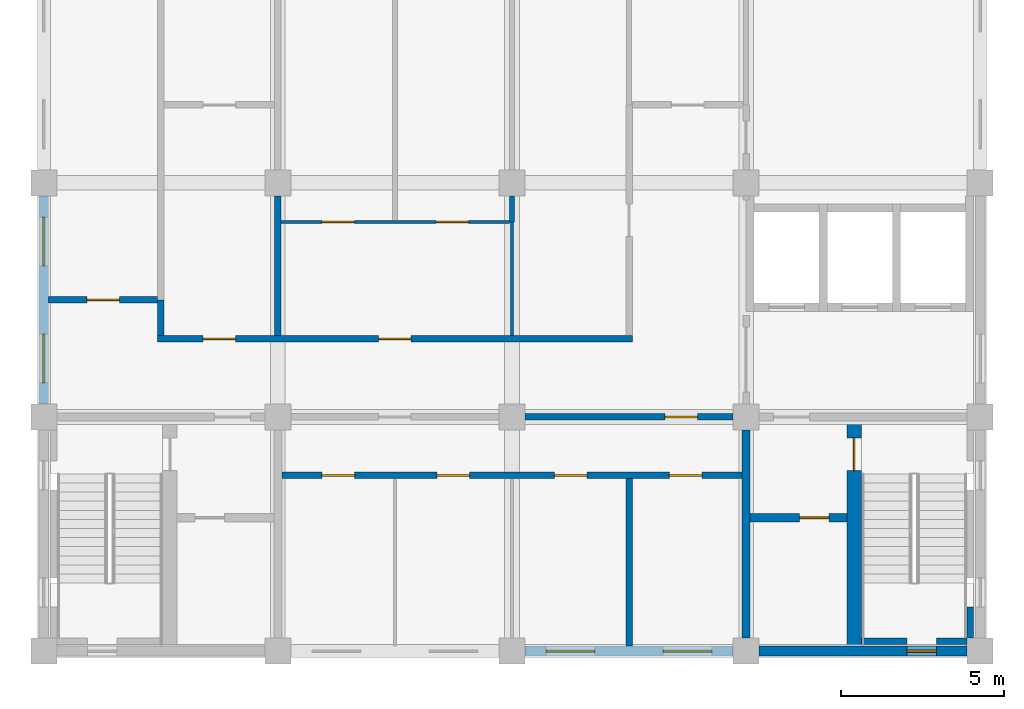
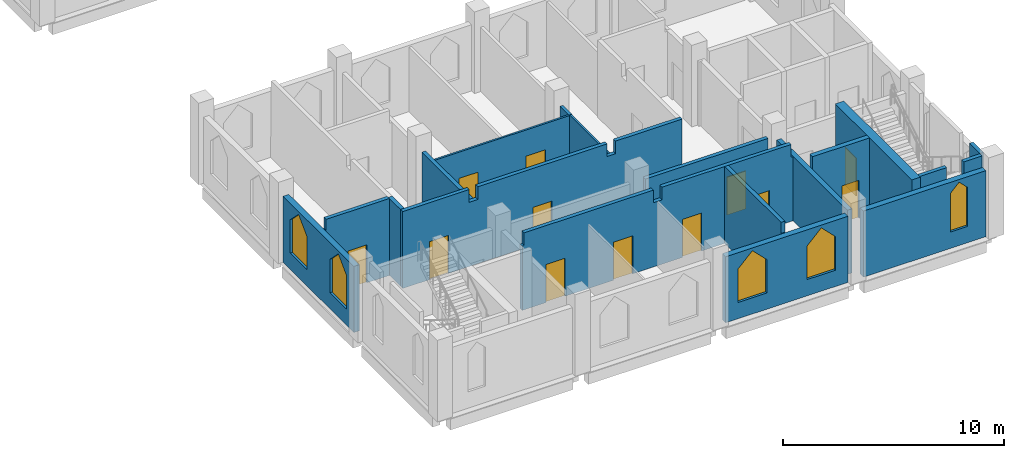
# One storey, part 3 of 13: 19 walls, 12 doors, 5 windows, 17 openings.
"""IFC4 building model written with IfcOpenShell, lengths in metres."""

import ifcopenshell
import ifcopenshell.guid

model = None  # the IFC model being written
_history = None  # IfcOwnerHistory: only IFC2X3 demands one
_inside = {}  # id of a spatial element -> (the spatial element, [elements in it])
_under = {}  # id of a project, library or spatial element -> (it, [spatial elements below it])
_declared = {}  # id of a project -> (the project, [libraries it declares])
_typed = {}  # id of a type object -> (the type object, [elements of that type])
_made_of = {}  # id of a material, layer set ... -> (it, [elements and type objects made of it])


def new_model(schema):
    """Start an empty IFC model of exactly this schema.

    Asked for "IFC4X3", IfcOpenShell would pick the latest addendum, in which some entities
    have other attributes; the version numbers below select the first issue.
    IFC2X3 requires an IfcOwnerHistory on every rooted entity: one is made here for all.
    """
    global model, _history
    if schema == "IFC4X3":
        model = ifcopenshell.file(schema_version=(4, 3, 0, 0))
    else:
        model = ifcopenshell.file(schema=schema)
    _inside.clear()
    _under.clear()
    _declared.clear()
    _typed.clear()
    _made_of.clear()
    _history = None
    if model.schema == "IFC2X3":
        org = make("IfcOrganization", Name="unknown")
        user = make(
            "IfcPersonAndOrganization",
            ThePerson=make("IfcPerson", FamilyName="unknown"),
            TheOrganization=org,
        )
        app = make(
            "IfcApplication",
            ApplicationDeveloper=org,
            Version="unknown",
            ApplicationFullName="unknown",
            ApplicationIdentifier="unknown",
        )
        _history = make(
            "IfcOwnerHistory",
            OwningUser=user,
            OwningApplication=app,
            ChangeAction="ADDED",
            CreationDate=0,
        )
    return model


def make(cls, **values):
    """One entity of the class cls with the attributes given. An attribute that is None is left unset."""
    return model.create_entity(
        cls, **{name: value for name, value in values.items() if value is not None}
    )


def rooted(cls, **values):
    """An entity with a GlobalId (a new one), such as an element, a storey or a relation."""
    return make(cls, GlobalId=ifcopenshell.guid.new(), OwnerHistory=_history, **values)


def si_unit(unit_type, name, prefix=None):
    """IfcSIUnit, for example si_unit("LENGTHUNIT", "METRE", prefix="MILLI")."""
    return make("IfcSIUnit", UnitType=unit_type, Prefix=prefix, Name=name)


def assignment(units):
    """IfcUnitAssignment: the units of a project."""
    return None if units is None else make("IfcUnitAssignment", Units=units)


def point(xyz):
    """IfcCartesianPoint."""
    return None if xyz is None else make("IfcCartesianPoint", Coordinates=xyz)


def direction(xyz):
    """IfcDirection."""
    return None if xyz is None else make("IfcDirection", DirectionRatios=xyz)


def frame(location, z_axis=None, x_axis=None):
    """IfcAxis2Placement3D, a coordinate frame: its origin and axes. An axis left out is left unset."""
    return make(
        "IfcAxis2Placement3D",
        Location=point(location),
        Axis=direction(z_axis),
        RefDirection=direction(x_axis),
    )


def frame_2d(location, x_axis=None):
    """IfcAxis2Placement2D, a coordinate frame in the plane: its origin and x axis."""
    return make(
        "IfcAxis2Placement2D", Location=point(location), RefDirection=direction(x_axis)
    )


def origin():
    """The frame at (0, 0, 0) with its axes left unset."""
    return frame((0.0, 0.0, 0.0))


def place(relative_to, where):
    """IfcLocalPlacement: puts the frame where relative to a parent placement (None: the world)."""
    return make(
        "IfcLocalPlacement", PlacementRelTo=relative_to, RelativePlacement=where
    )


def context(
    kind, dimensions, precision=None, world=None, true_north=None, identifier=None
):
    """IfcGeometricRepresentationContext, for example the 3D "Model" context."""
    return make(
        "IfcGeometricRepresentationContext",
        ContextIdentifier=identifier,
        ContextType=kind,
        CoordinateSpaceDimension=dimensions,
        Precision=precision,
        WorldCoordinateSystem=world,
        TrueNorth=true_north,
    )


def subcontext(parent, identifier, kind, view, scale=None):
    """IfcGeometricRepresentationSubContext, for example "Body" below "Model"."""
    return make(
        "IfcGeometricRepresentationSubContext",
        ContextIdentifier=identifier,
        ContextType=kind,
        ParentContext=parent,
        TargetScale=scale,
        TargetView=view,
    )


def project(units=None, contexts=None):
    """IfcProject with its units and contexts."""
    return rooted(
        "IfcProject",
        Name="project",
        RepresentationContexts=contexts,
        UnitsInContext=assignment(units),
    )


def spatial(cls, under=None, at=None, **own):
    """A site, building, storey or space (cls), placed at a placement, below another one or the project."""
    s = rooted(cls, ObjectPlacement=at, **own)
    if under is not None:
        _under.setdefault(under.id(), (under, []))[1].append(s)
    return s


def polyline(points):
    """IfcPolyline through the points."""
    return make("IfcPolyline", Points=[point(p) for p in points])


def profile(cls, at=None, kind="AREA", **sizes):
    """A parametric profile (cls). Its sizes go by their IFC names, for example OverallWidth=200.0."""
    return make(cls, ProfileType=kind, Position=at, **sizes)


def rectangle(**sizes):
    """IfcRectangleProfileDef."""
    return profile("IfcRectangleProfileDef", **sizes)


def outline(outer, holes=None, kind="AREA"):
    """IfcArbitraryClosedProfileDef: a profile drawn as a closed curve; with holes, ...WithVoids."""
    if holes is None:
        return make("IfcArbitraryClosedProfileDef", ProfileType=kind, OuterCurve=outer)
    return make(
        "IfcArbitraryProfileDefWithVoids",
        ProfileType=kind,
        OuterCurve=outer,
        InnerCurves=holes,
    )


def extrude(swept, where, along, depth):
    """IfcExtrudedAreaSolid: the profile swept, set in the frame where, extruded along a direction by depth."""
    return make(
        "IfcExtrudedAreaSolid",
        SweptArea=swept,
        Position=where,
        ExtrudedDirection=direction(along),
        Depth=depth,
    )


def shape(context_of_items, identifier, shape_type, items):
    """IfcShapeRepresentation: the items that make up one representation, for example the "Body"."""
    return make(
        "IfcShapeRepresentation",
        ContextOfItems=context_of_items,
        RepresentationIdentifier=identifier,
        RepresentationType=shape_type,
        Items=items,
    )


def material(Name=None, Category=None):
    """IfcMaterial."""
    return make("IfcMaterial", Name=Name, Category=Category)


def layer(
    of_material, thickness, ventilated=None, Name=None, Category=None, Priority=None
):
    """IfcMaterialLayer: one layer of a wall or slab, of a material (None: an air gap)."""
    return make(
        "IfcMaterialLayer",
        Material=of_material,
        LayerThickness=thickness,
        IsVentilated=ventilated,
        Name=Name,
        Category=Category,
        Priority=Priority,
    )


def layer_set(layers, Name=None):
    """IfcMaterialLayerSet."""
    return make("IfcMaterialLayerSet", MaterialLayers=layers, LayerSetName=Name)


def made_of(thing, what):
    """Note that an element or type object is made of a material, layer set ...; save() writes the relation."""
    if what is not None:
        _made_of.setdefault(what.id(), (what, []))[1].append(thing)
    return thing


def type_object(cls, material=None, **own):
    """A type object (cls), such as IfcWallType, which elements share."""
    return made_of(rooted(cls, **own), material)


def element(
    cls,
    number,
    at=None,
    inside=None,
    cuts=None,
    type_object=None,
    material=None,
    context=None,
    identifier="Body",
    shape_type=None,
    held_by="IfcProductDefinitionShape",
    body=None,
    shapes=None,
    **own,
):
    """One element of the class cls, such as IfcWall. Its Tag is "e" and its number.

    at: its placement. inside: the storey or other place that contains it. cuts: it is an
    opening in that element (IfcRelVoidsElement). A single representation is given by context,
    identifier, shape_type and body (its items); several are given by shapes. held_by: the class
    of the entity that holds the representations. save() writes the other relations.
    """
    e = rooted(cls, Tag="e%d" % number, ObjectPlacement=at, **own)
    if body is not None:
        shapes = [shape(context, identifier, shape_type, body)]
    if shapes is not None:
        e.Representation = make(held_by, Representations=shapes)
    if inside is not None:
        _inside.setdefault(inside.id(), (inside, []))[1].append(e)
    if cuts is not None:
        rooted(
            "IfcRelVoidsElement", RelatingBuildingElement=cuts, RelatedOpeningElement=e
        )
    if type_object is not None:
        _typed.setdefault(type_object.id(), (type_object, []))[1].append(e)
    return made_of(e, material)


def fill(opening, filler):
    """IfcRelFillsElement: the door or window that sits in an opening."""
    return rooted(
        "IfcRelFillsElement",
        RelatingOpeningElement=opening,
        RelatedBuildingElement=filler,
    )


def aggregate(whole, parts):
    """IfcRelAggregates: a whole, such as a stair, and the parts it consists of."""
    return rooted("IfcRelAggregates", RelatingObject=whole, RelatedObjects=parts)


def save(model, path):
    """Write the relations noted so far, then the file.

    IfcRelAggregates (storeys below a building ...), IfcRelContainedInSpatialStructure (elements
    in a storey), IfcRelDefinesByType, IfcRelAssociatesMaterial and IfcRelDeclares: one each for
    every whole, place, type object, material and project.
    """
    for whole, parts in _under.values():
        aggregate(whole, parts)
    for where, things in _inside.values():
        rooted(
            "IfcRelContainedInSpatialStructure",
            RelatedElements=things,
            RelatingStructure=where,
        )
    for kind, things in _typed.values():
        rooted("IfcRelDefinesByType", RelatedObjects=things, RelatingType=kind)
    for what, things in _made_of.values():
        rooted("IfcRelAssociatesMaterial", RelatedObjects=things, RelatingMaterial=what)
    for by, libraries in _declared.values():
        rooted("IfcRelDeclares", RelatingContext=by, RelatedDefinitions=libraries)
    model.write(path)


model = new_model("IFC4")

# Units and contexts
model_context = context("Model", 3, precision=1e-05, world=origin(), true_north=direction((0.0, 1.0)))
body_context = subcontext(model_context, "Body", "Model", "MODEL_VIEW")
ifc_project = project(units=[si_unit("LENGTHUNIT", "METRE"), si_unit("AREAUNIT", "SQUARE_METRE"), si_unit("VOLUMEUNIT", "CUBIC_METRE"), si_unit("PLANEANGLEUNIT", "RADIAN"), si_unit("MASSUNIT", "GRAM", prefix="KILO")], contexts=[model_context])

# Site, building, storey
site_placement = place(None, origin())
site = spatial("IfcSite", under=ifc_project, at=site_placement, CompositionType="ELEMENT")
building_placement = place(site_placement, origin())
building = spatial("IfcBuilding", under=site, at=building_placement, Name="Silangan Lancet Faculty of Sciences", CompositionType="ELEMENT")
storey_placement = place(building_placement, frame((0.0, 0.0, 49.800048828125)))
storey = spatial("IfcBuildingStorey", under=building, at=storey_placement, Name="L10", CompositionType="ELEMENT", Elevation=49.800048828125)

# Wall, openings, windows
ifc_material_1 = material(Name="Concrete C40/50 precast", Category="concrete")
ifc_layer_1 = layer(ifc_material_1, 0.300048828125)
ifc_layer_set_1 = layer_set([ifc_layer_1], Name="Concrete C40/50 precast")
wall_type_1 = type_object("IfcWallType", Name="EW1 Precast cladding wall", PredefinedType="STANDARD", material=ifc_layer_set_1)
wall_1_placement = place(storey_placement, frame((0.0, 7.60009765625, 0.0), z_axis=(0.0, 0.0, 1.0), x_axis=(0.0, 1.0, 0.0)))
wall_1 = element("IfcWall", 1, at=wall_1_placement, inside=storey, type_object=wall_type_1, Name="EW-L10-W-ST-01", PredefinedType="STANDARD", context=body_context, shape_type="SweptSolid", body=[
    extrude(rectangle(XDim=6.39990234375, YDim=0.300048828125, at=frame_2d((3.199951171875, 0.0))), origin(), (0.0, 0.0, 1.0), 3.64990234375),
])
opening_1_placement = place(wall_1_placement, frame((0.64990234375, 0.0, 0.89990234375)))
opening_1 = element("IfcOpeningElement", 2, at=opening_1_placement, cuts=wall_1, Name="Opening W26", PredefinedType="OPENING", context=body_context, shape_type="SweptSolid", body=[
    extrude(outline(polyline([(0.0, 0.0), (1.5, 0.0), (1.5, 1.85009765625), (0.75, 2.60009765625), (0.0, 1.85009765625), (0.0, 0.0)])), frame((0.0, 0.159912109375, 0.0), z_axis=(0.0, -1.0, 0.0), x_axis=(1.0, 0.0, 0.0)), (0.0, 0.0, 1.0), 0.320068359375),
])
opening_2_placement = place(wall_1_placement, frame((4.25, 0.0, 0.89990234375)))
opening_2 = element("IfcOpeningElement", 3, at=opening_2_placement, cuts=wall_1, Name="Opening W26", PredefinedType="OPENING", context=body_context, shape_type="SweptSolid", body=[
    extrude(outline(polyline([(0.0, 0.0), (1.5, 0.0), (1.5, 1.85009765625), (0.75, 2.60009765625), (0.0, 1.85009765625), (0.0, 0.0)])), frame((0.0, 0.159912109375, 0.0), z_axis=(0.0, -1.0, 0.0), x_axis=(1.0, 0.0, 0.0)), (0.0, 0.0, 1.0), 0.320068359375),
])
ifc_material_2 = material(Name="Aluminium frame, laminated double glazing", Category="aluminium")
window_type_1 = type_object("IfcWindowType", Name="W26 Lancet window 1500 x 2600", PartitioningType="SINGLE_PANEL", PredefinedType="WINDOW", material=ifc_material_2)
window_1_placement = place(opening_1_placement, origin())
window_1 = element("IfcWindow", 4, at=window_1_placement, inside=storey, type_object=window_type_1, Name="WIN-L10-W-ST-01a", OverallHeight=2.60009765625, OverallWidth=1.5, PartitioningType="SINGLE_PANEL", PredefinedType="WINDOW", context=body_context, shape_type="SweptSolid", body=[
    extrude(outline(polyline([(0.0, 0.0), (1.5, 0.0), (1.5, 1.85009765625), (0.75, 2.60009765625), (0.0, 1.85009765625), (0.0, 0.0)])), frame((0.0, 0.030029296875, 0.0), z_axis=(0.0, -1.0, 0.0), x_axis=(1.0, 0.0, 0.0)), (0.0, 0.0, 1.0), 0.06005859375),
])
fill(opening_1, window_1)
window_2_placement = place(opening_2_placement, origin())
window_2 = element("IfcWindow", 5, at=window_2_placement, inside=storey, type_object=window_type_1, Name="WIN-L10-W-ST-01b", OverallHeight=2.60009765625, OverallWidth=1.5, PartitioningType="SINGLE_PANEL", PredefinedType="WINDOW", context=body_context, shape_type="SweptSolid", body=[
    extrude(outline(polyline([(0.0, 0.0), (1.5, 0.0), (1.5, 1.85009765625), (0.75, 2.60009765625), (0.0, 1.85009765625), (0.0, 0.0)])), frame((0.0, 0.030029296875, 0.0), z_axis=(0.0, -1.0, 0.0), x_axis=(1.0, 0.0, 0.0)), (0.0, 0.0, 1.0), 0.06005859375),
])
fill(opening_2, window_2)

wall_2_placement = place(storey_placement, frame((14.800048828125, 0.0, 0.0), z_axis=(0.0, 0.0, 1.0), x_axis=(1.0, 0.0, 0.0)))
wall_2 = element("IfcWall", 6, at=wall_2_placement, inside=storey, type_object=wall_type_1, Name="EW-L10-S-ST-02", PredefinedType="STANDARD", context=body_context, shape_type="SweptSolid", body=[
    extrude(rectangle(XDim=6.39990234375, YDim=0.300048828125, at=frame_2d((3.199951171875, 0.0))), origin(), (0.0, 0.0, 1.0), 3.64990234375),
])
opening_3_placement = place(wall_2_placement, frame((0.64990234375, 0.0, 0.89990234375)))
opening_3 = element("IfcOpeningElement", 7, at=opening_3_placement, cuts=wall_2, Name="Opening W26", PredefinedType="OPENING", context=body_context, shape_type="SweptSolid", body=[
    extrude(outline(polyline([(0.0, 0.0), (1.5, 0.0), (1.5, 1.85009765625), (0.75, 2.60009765625), (0.0, 1.85009765625), (0.0, 0.0)])), frame((0.0, 0.159912109375, 0.0), z_axis=(0.0, -1.0, 0.0), x_axis=(1.0, 0.0, 0.0)), (0.0, 0.0, 1.0), 0.320068359375),
])
opening_4_placement = place(wall_2_placement, frame((4.25, 0.0, 0.89990234375)))
opening_4 = element("IfcOpeningElement", 8, at=opening_4_placement, cuts=wall_2, Name="Opening W26", PredefinedType="OPENING", context=body_context, shape_type="SweptSolid", body=[
    extrude(outline(polyline([(0.0, 0.0), (1.5, 0.0), (1.5, 1.85009765625), (0.75, 2.60009765625), (0.0, 1.85009765625), (0.0, 0.0)])), frame((0.0, 0.159912109375, 0.0), z_axis=(0.0, -1.0, 0.0), x_axis=(1.0, 0.0, 0.0)), (0.0, 0.0, 1.0), 0.320068359375),
])
window_3_placement = place(opening_3_placement, origin())
window_3 = element("IfcWindow", 9, at=window_3_placement, inside=storey, type_object=window_type_1, Name="WIN-L10-S-ST-02a", OverallHeight=2.60009765625, OverallWidth=1.5, PartitioningType="SINGLE_PANEL", PredefinedType="WINDOW", context=body_context, shape_type="SweptSolid", body=[
    extrude(outline(polyline([(0.0, 0.0), (1.5, 0.0), (1.5, 1.85009765625), (0.75, 2.60009765625), (0.0, 1.85009765625), (0.0, 0.0)])), frame((0.0, 0.030029296875, 0.0), z_axis=(0.0, -1.0, 0.0), x_axis=(1.0, 0.0, 0.0)), (0.0, 0.0, 1.0), 0.06005859375),
])
fill(opening_3, window_3)
window_4_placement = place(opening_4_placement, origin())
window_4 = element("IfcWindow", 10, at=window_4_placement, inside=storey, type_object=window_type_1, Name="WIN-L10-S-ST-02b", OverallHeight=2.60009765625, OverallWidth=1.5, PartitioningType="SINGLE_PANEL", PredefinedType="WINDOW", context=body_context, shape_type="SweptSolid", body=[
    extrude(outline(polyline([(0.0, 0.0), (1.5, 0.0), (1.5, 1.85009765625), (0.75, 2.60009765625), (0.0, 1.85009765625), (0.0, 0.0)])), frame((0.0, 0.030029296875, 0.0), z_axis=(0.0, -1.0, 0.0), x_axis=(1.0, 0.0, 0.0)), (0.0, 0.0, 1.0), 0.06005859375),
])
fill(opening_4, window_4)

# Wall, opening, window
ifc_material_3 = material(Name="Concrete C40/50 precast", Category="concrete")
ifc_layer_2 = layer(ifc_material_3, 0.300048828125)
ifc_layer_set_2 = layer_set([ifc_layer_2], Name="Concrete C40/50 precast")
wall_type_2 = type_object("IfcWallType", Name="EW2 Turret enclosure wall", PredefinedType="STANDARD", material=ifc_layer_set_2)
wall_3_placement = place(storey_placement, frame((22.0, 0.0, 0.0), z_axis=(0.0, 0.0, 1.0), x_axis=(1.0, 0.0, 0.0)))
wall_3 = element("IfcWall", 11, at=wall_3_placement, inside=storey, type_object=wall_type_2, Name="EW-L10-S-ST-03", PredefinedType="STANDARD", context=body_context, shape_type="SweptSolid", body=[
    extrude(rectangle(XDim=6.39990234375, YDim=0.300048828125, at=frame_2d((3.199951171875, 0.0))), origin(), (0.0, 0.0, 1.0), 3.64990234375),
])
opening_5_placement = place(wall_3_placement, frame((4.550048828125, 0.0, 0.89990234375)))
opening_5 = element("IfcOpeningElement", 12, at=opening_5_placement, cuts=wall_3, Name="Opening W25", PredefinedType="OPENING", context=body_context, shape_type="SweptSolid", body=[
    extrude(outline(polyline([(0.0, 0.0), (0.89990234375, 0.0), (0.89990234375, 2.150146484375), (0.449951171875, 2.60009765625), (0.0, 2.150146484375), (0.0, 0.0)])), frame((0.0, 0.159912109375, 0.0), z_axis=(0.0, -1.0, 0.0), x_axis=(1.0, 0.0, 0.0)), (0.0, 0.0, 1.0), 0.320068359375),
])
ifc_material_4 = material(Name="Aluminium frame, laminated double glazing", Category="aluminium")
window_type_2 = type_object("IfcWindowType", Name="W25 Lancet window 900 x 2600", PartitioningType="SINGLE_PANEL", PredefinedType="WINDOW", material=ifc_material_4)
window_5_placement = place(opening_5_placement, origin())
window_5 = element("IfcWindow", 13, at=window_5_placement, inside=storey, type_object=window_type_2, Name="WIN-L10-S-ST-03b", OverallHeight=2.60009765625, OverallWidth=0.89990234375, PartitioningType="SINGLE_PANEL", PredefinedType="WINDOW", context=body_context, shape_type="SweptSolid", body=[
    extrude(outline(polyline([(0.0, 0.0), (0.89990234375, 0.0), (0.89990234375, 2.150146484375), (0.449951171875, 2.60009765625), (0.0, 2.150146484375), (0.0, 0.0)])), frame((0.0, 0.030029296875, 0.0), z_axis=(0.0, -1.0, 0.0), x_axis=(1.0, 0.0, 0.0)), (0.0, 0.0, 1.0), 0.06005859375),
])
fill(opening_5, window_5)

# Wall, openings, doors
ifc_material_5 = material(Name="Hollow block masonry fm 7 MPa", Category="masonry")
ifc_layer_3 = layer(ifc_material_5, 0.199951171875)
ifc_layer_set_3 = layer_set([ifc_layer_3], Name="Hollow block masonry fm 7 MPa")
wall_type_3 = type_object("IfcWallType", Name="Interior wall PW1 Corridor wall CHB 200", PredefinedType="PARTITIONING", material=ifc_layer_set_3)
wall_4_placement = place(storey_placement, frame((7.324951171875, 5.39990234375, 0.0), z_axis=(0.0, 0.0, 1.0), x_axis=(1.0, 0.0, 0.0)))
wall_4 = element("IfcWall", 14, at=wall_4_placement, inside=storey, type_object=wall_type_3, Name="Corridor wall CHB 200", PredefinedType="PARTITIONING", context=body_context, shape_type="SweptSolid", body=[
    extrude(outline(polyline([(0.0, 0.0), (14.150146484375, 0.0), (14.150146484375, 3.550048828125), (14.050048828125, 3.550048828125), (14.050048828125, 4.25), (7.300048828125, 4.25), (7.300048828125, 3.550048828125), (6.85009765625, 3.550048828125), (6.85009765625, 4.25), (0.10009765625, 4.25), (0.10009765625, 3.550048828125), (0.0, 3.550048828125), (0.0, 0.0)])), frame((0.0, 0.10009765625, 0.0), z_axis=(0.0, -1.0, 0.0), x_axis=(1.0, 0.0, 0.0)), (0.0, 0.0, 1.0), 0.199951171875),
])
opening_6_placement = place(wall_4_placement, frame((1.237548828125, 0.0, 0.0)))
opening_6 = element("IfcOpeningElement", 15, at=opening_6_placement, cuts=wall_4, Name="Opening L10-007", PredefinedType="OPENING", context=body_context, shape_type="SweptSolid", body=[
    extrude(rectangle(XDim=1.0, YDim=2.10009765625, at=frame_2d((0.5, 1.050048828125))), frame((0.0, 0.10986328125, 0.0), z_axis=(0.0, -1.0, 0.0), x_axis=(1.0, 0.0, 0.0)), (0.0, 0.0, 1.0), 0.219970703125),
])
opening_7_placement = place(wall_4_placement, frame((4.77490234375, 0.0, 0.0)))
opening_7 = element("IfcOpeningElement", 16, at=opening_7_placement, cuts=wall_4, Name="Opening L10-008", PredefinedType="OPENING", context=body_context, shape_type="SweptSolid", body=[
    extrude(rectangle(XDim=1.0, YDim=2.10009765625, at=frame_2d((0.5, 1.050048828125))), frame((0.0, 0.10986328125, 0.0), z_axis=(0.0, -1.0, 0.0), x_axis=(1.0, 0.0, 0.0)), (0.0, 0.0, 1.0), 0.219970703125),
])
opening_8_placement = place(wall_4_placement, frame((8.375, 0.0, 0.0)))
opening_8 = element("IfcOpeningElement", 17, at=opening_8_placement, cuts=wall_4, Name="Opening L10-009", PredefinedType="OPENING", context=body_context, shape_type="SweptSolid", body=[
    extrude(rectangle(XDim=1.0, YDim=2.10009765625, at=frame_2d((0.5, 1.050048828125))), frame((0.0, 0.10986328125, 0.0), z_axis=(0.0, -1.0, 0.0), x_axis=(1.0, 0.0, 0.0)), (0.0, 0.0, 1.0), 0.219970703125),
])
opening_9_placement = place(wall_4_placement, frame((11.91259765625, 0.0, 0.0)))
opening_9 = element("IfcOpeningElement", 18, at=opening_9_placement, cuts=wall_4, Name="Opening L10-010", PredefinedType="OPENING", context=body_context, shape_type="SweptSolid", body=[
    extrude(rectangle(XDim=1.0, YDim=2.10009765625, at=frame_2d((0.5, 1.050048828125))), frame((0.0, 0.10986328125, 0.0), z_axis=(0.0, -1.0, 0.0), x_axis=(1.0, 0.0, 0.0)), (0.0, 0.0, 1.0), 0.219970703125),
])
ifc_material_6 = material(Name="Steel fire door set", Category="steel")
door_type_1 = type_object("IfcDoorType", Name="Door D1 Single leaf fire door 1000 x 2100", OperationType="SINGLE_SWING_LEFT", PredefinedType="DOOR", material=ifc_material_6)
door_1_placement = place(opening_6_placement, frame((1.0, 0.0, 0.0), z_axis=(0.0, 0.0, 1.0), x_axis=(-1.0, 0.0, 0.0)))
door_1 = element("IfcDoor", 19, at=door_1_placement, inside=storey, type_object=door_type_1, Name="Single leaf fire door 1000 x 2100", OperationType="SINGLE_SWING_RIGHT", OverallHeight=2.10009765625, OverallWidth=1.0, PredefinedType="DOOR", context=body_context, shape_type="SweptSolid", body=[
    extrude(rectangle(XDim=1.0, YDim=2.10009765625, at=frame_2d((0.5, 1.050048828125))), frame((0.0, 0.025146484375, 0.0), z_axis=(0.0, -1.0, 0.0), x_axis=(1.0, 0.0, 0.0)), (0.0, 0.0, 1.0), 0.050048828125),
])
fill(opening_6, door_1)
door_2_placement = place(opening_7_placement, frame((1.0, 0.0, 0.0), z_axis=(0.0, 0.0, 1.0), x_axis=(-1.0, 0.0, 0.0)))
door_2 = element("IfcDoor", 20, at=door_2_placement, inside=storey, type_object=door_type_1, Name="Single leaf fire door 1000 x 2100", OperationType="SINGLE_SWING_LEFT", OverallHeight=2.10009765625, OverallWidth=1.0, PredefinedType="DOOR", context=body_context, shape_type="SweptSolid", body=[
    extrude(rectangle(XDim=1.0, YDim=2.10009765625, at=frame_2d((0.5, 1.050048828125))), frame((0.0, 0.025146484375, 0.0), z_axis=(0.0, -1.0, 0.0), x_axis=(1.0, 0.0, 0.0)), (0.0, 0.0, 1.0), 0.050048828125),
])
fill(opening_7, door_2)
door_3_placement = place(opening_8_placement, frame((1.0, 0.0, 0.0), z_axis=(0.0, 0.0, 1.0), x_axis=(-1.0, 0.0, 0.0)))
door_3 = element("IfcDoor", 21, at=door_3_placement, inside=storey, type_object=door_type_1, Name="Single leaf fire door 1000 x 2100", OperationType="SINGLE_SWING_RIGHT", OverallHeight=2.10009765625, OverallWidth=1.0, PredefinedType="DOOR", context=body_context, shape_type="SweptSolid", body=[
    extrude(rectangle(XDim=1.0, YDim=2.10009765625, at=frame_2d((0.5, 1.050048828125))), frame((0.0, 0.025146484375, 0.0), z_axis=(0.0, -1.0, 0.0), x_axis=(1.0, 0.0, 0.0)), (0.0, 0.0, 1.0), 0.050048828125),
])
fill(opening_8, door_3)
door_4_placement = place(opening_9_placement, frame((1.0, 0.0, 0.0), z_axis=(0.0, 0.0, 1.0), x_axis=(-1.0, 0.0, 0.0)))
door_4 = element("IfcDoor", 22, at=door_4_placement, inside=storey, type_object=door_type_1, Name="Single leaf fire door 1000 x 2100", OperationType="SINGLE_SWING_LEFT", OverallHeight=2.10009765625, OverallWidth=1.0, PredefinedType="DOOR", context=body_context, shape_type="SweptSolid", body=[
    extrude(rectangle(XDim=1.0, YDim=2.10009765625, at=frame_2d((0.5, 1.050048828125))), frame((0.0, 0.025146484375, 0.0), z_axis=(0.0, -1.0, 0.0), x_axis=(1.0, 0.0, 0.0)), (0.0, 0.0, 1.0), 0.050048828125),
])
fill(opening_9, door_4)

# Wall, opening, door
wall_5_placement = place(storey_placement, frame((14.800048828125, 7.199951171875, 0.0), z_axis=(0.0, 0.0, 1.0), x_axis=(1.0, 0.0, 0.0)))
wall_5 = element("IfcWall", 23, at=wall_5_placement, inside=storey, type_object=wall_type_3, Name="Corridor wall CHB 200", PredefinedType="PARTITIONING", context=body_context, shape_type="SweptSolid", body=[
    extrude(rectangle(XDim=6.39990234375, YDim=0.199951171875, at=frame_2d((3.199951171875, 0.0))), origin(), (0.0, 0.0, 1.0), 3.550048828125),
])
opening_10_placement = place(wall_5_placement, frame((4.300048828125, 0.0, 0.0)))
opening_10 = element("IfcOpeningElement", 24, at=opening_10_placement, cuts=wall_5, Name="Opening L10-003", PredefinedType="OPENING", context=body_context, shape_type="SweptSolid", body=[
    extrude(rectangle(XDim=1.0, YDim=2.10009765625, at=frame_2d((0.5, 1.050048828125))), frame((0.0, 0.10986328125, 0.0), z_axis=(0.0, -1.0, 0.0), x_axis=(1.0, 0.0, 0.0)), (0.0, 0.0, 1.0), 0.219970703125),
])
door_5_placement = place(opening_10_placement, frame((1.0, 0.0, 0.0), z_axis=(0.0, 0.0, 1.0), x_axis=(-1.0, 0.0, 0.0)))
door_5 = element("IfcDoor", 25, at=door_5_placement, inside=storey, type_object=door_type_1, Name="Single leaf fire door 1000 x 2100", OperationType="SINGLE_SWING_RIGHT", OverallHeight=2.10009765625, OverallWidth=1.0, PredefinedType="DOOR", context=body_context, shape_type="SweptSolid", body=[
    extrude(rectangle(XDim=1.0, YDim=2.10009765625, at=frame_2d((0.5, 1.050048828125))), frame((0.0, 0.025146484375, 0.0), z_axis=(0.0, -1.0, 0.0), x_axis=(1.0, 0.0, 0.0)), (0.0, 0.0, 1.0), 0.050048828125),
])
fill(opening_10, door_5)

# Wall, openings, doors
wall_6_placement = place(storey_placement, frame((3.5, 9.60009765625, 0.0), z_axis=(0.0, 0.0, 1.0), x_axis=(1.0, 0.0, 0.0)))
wall_6 = element("IfcWall", 26, at=wall_6_placement, inside=storey, type_object=wall_type_3, Name="Corridor wall CHB 200", PredefinedType="PARTITIONING", context=body_context, shape_type="SweptSolid", body=[
    extrude(outline(polyline([(0.0, 0.0), (14.60009765625, 0.0), (14.60009765625, 4.25), (11.125, 4.25), (11.125, 3.550048828125), (10.675048828125, 3.550048828125), (10.675048828125, 4.25), (3.925048828125, 4.25), (3.925048828125, 3.550048828125), (3.47509765625, 3.550048828125), (3.47509765625, 4.25), (0.0, 4.25), (0.0, 0.0)])), frame((0.0, 0.10009765625, 0.0), z_axis=(0.0, -1.0, 0.0), x_axis=(1.0, 0.0, 0.0)), (0.0, 0.0, 1.0), 0.199951171875),
])
opening_11_placement = place(wall_6_placement, frame((1.39990234375, 0.0, 0.0)))
opening_11 = element("IfcOpeningElement", 27, at=opening_11_placement, cuts=wall_6, Name="Opening L10-014", PredefinedType="OPENING", context=body_context, shape_type="SweptSolid", body=[
    extrude(rectangle(XDim=1.0, YDim=2.10009765625, at=frame_2d((0.5, 1.050048828125))), frame((0.0, 0.10986328125, 0.0), z_axis=(0.0, -1.0, 0.0), x_axis=(1.0, 0.0, 0.0)), (0.0, 0.0, 1.0), 0.219970703125),
])
opening_12_placement = place(wall_6_placement, frame((6.800048828125, 0.0, 0.0)))
opening_12 = element("IfcOpeningElement", 28, at=opening_12_placement, cuts=wall_6, Name="Opening L10-016", PredefinedType="OPENING", context=body_context, shape_type="SweptSolid", body=[
    extrude(rectangle(XDim=1.0, YDim=2.10009765625, at=frame_2d((0.5, 1.050048828125))), frame((0.0, 0.10986328125, 0.0), z_axis=(0.0, -1.0, 0.0), x_axis=(1.0, 0.0, 0.0)), (0.0, 0.0, 1.0), 0.219970703125),
])
door_6_placement = place(opening_11_placement, origin())
door_6 = element("IfcDoor", 29, at=door_6_placement, inside=storey, type_object=door_type_1, Name="Single leaf fire door 1000 x 2100", OperationType="SINGLE_SWING_RIGHT", OverallHeight=2.10009765625, OverallWidth=1.0, PredefinedType="DOOR", context=body_context, shape_type="SweptSolid", body=[
    extrude(rectangle(XDim=1.0, YDim=2.10009765625, at=frame_2d((0.5, 1.050048828125))), frame((0.0, 0.02490234375, 0.0), z_axis=(0.0, -1.0, 0.0), x_axis=(1.0, 0.0, 0.0)), (0.0, 0.0, 1.0), 0.050048828125),
])
fill(opening_11, door_6)
door_7_placement = place(opening_12_placement, origin())
door_7 = element("IfcDoor", 30, at=door_7_placement, inside=storey, type_object=door_type_1, Name="Single leaf fire door 1000 x 2100", OperationType="SINGLE_SWING_RIGHT", OverallHeight=2.10009765625, OverallWidth=1.0, PredefinedType="DOOR", context=body_context, shape_type="SweptSolid", body=[
    extrude(rectangle(XDim=1.0, YDim=2.10009765625, at=frame_2d((0.5, 1.050048828125))), frame((0.0, 0.02490234375, 0.0), z_axis=(0.0, -1.0, 0.0), x_axis=(1.0, 0.0, 0.0)), (0.0, 0.0, 1.0), 0.050048828125),
])
fill(opening_12, door_7)

# Wall, opening, door
wall_7_placement = place(storey_placement, frame((0.14990234375, 10.800048828125, 0.0), z_axis=(0.0, 0.0, 1.0), x_axis=(1.0, 0.0, 0.0)))
wall_7 = element("IfcWall", 31, at=wall_7_placement, inside=storey, type_object=wall_type_3, Name="Corridor wall CHB 200", PredefinedType="PARTITIONING", context=body_context, shape_type="SweptSolid", body=[
    extrude(outline(polyline([(0.0, 0.0), (3.35009765625, 0.0), (3.35009765625, 4.25), (0.050048828125, 4.25), (0.050048828125, 3.64990234375), (0.0, 3.64990234375), (0.0, 0.0)])), frame((0.0, 0.10009765625, 0.0), z_axis=(0.0, -1.0, 0.0), x_axis=(1.0, 0.0, 0.0)), (0.0, 0.0, 1.0), 0.199951171875),
])
opening_13_placement = place(wall_7_placement, frame((1.175048828125, 0.0, 0.0)))
opening_13 = element("IfcOpeningElement", 32, at=opening_13_placement, cuts=wall_7, Name="Opening L10-013", PredefinedType="OPENING", context=body_context, shape_type="SweptSolid", body=[
    extrude(rectangle(XDim=1.0, YDim=2.10009765625, at=frame_2d((0.5, 1.050048828125))), frame((0.0, 0.10986328125, 0.0), z_axis=(0.0, -1.0, 0.0), x_axis=(1.0, 0.0, 0.0)), (0.0, 0.0, 1.0), 0.219970703125),
])
door_8_placement = place(opening_13_placement, origin())
door_8 = element("IfcDoor", 33, at=door_8_placement, inside=storey, type_object=door_type_1, Name="Single leaf fire door 1000 x 2100", OperationType="SINGLE_SWING_LEFT", OverallHeight=2.10009765625, OverallWidth=1.0, PredefinedType="DOOR", context=body_context, shape_type="SweptSolid", body=[
    extrude(rectangle(XDim=1.0, YDim=2.10009765625, at=frame_2d((0.5, 1.050048828125))), frame((0.0, 0.02490234375, 0.0), z_axis=(0.0, -1.0, 0.0), x_axis=(1.0, 0.0, 0.0)), (0.0, 0.0, 1.0), 0.050048828125),
])
fill(opening_13, door_8)

# Wall
wall_8_placement = place(storey_placement, frame((3.60009765625, 9.699951171875, 0.0), z_axis=(0.0, 0.0, 1.0), x_axis=(0.0, 1.0, 0.0)))
element("IfcWall", 34, at=wall_8_placement, inside=storey, type_object=wall_type_3, Name="Corridor wall CHB 200", PredefinedType="PARTITIONING", context=body_context, shape_type="SweptSolid", body=[
    extrude(rectangle(XDim=1.10009765625, YDim=0.199951171875, at=frame_2d((0.550048828125, 0.0))), origin(), (0.0, 0.0, 1.0), 4.25),
])

# Wall, openings, doors
ifc_material_7 = material(Name="Gypsum board on metal studs")
ifc_layer_4 = layer(ifc_material_7, 0.10009765625)
ifc_layer_set_4 = layer_set([ifc_layer_4], Name="Gypsum board on metal studs")
wall_type_4 = type_object("IfcWallType", Name="Interior wall PW2 Office partition drywall 100", PredefinedType="PARTITIONING", material=ifc_layer_set_4)
wall_9_placement = place(storey_placement, frame((7.300048828125, 13.199951171875, 0.0), z_axis=(0.0, 0.0, 1.0), x_axis=(1.0, 0.0, 0.0)))
wall_9 = element("IfcWall", 35, at=wall_9_placement, inside=storey, type_object=wall_type_4, Name="Office partition drywall 100", PredefinedType="PARTITIONING", context=body_context, shape_type="SweptSolid", body=[
    extrude(rectangle(XDim=7.02490234375, YDim=0.10009765625, at=frame_2d((3.512451171875, 0.0))), origin(), (0.0, 0.0, 1.0), 3.550048828125),
])
opening_14_placement = place(wall_9_placement, frame((1.25, 0.0, 0.0)))
opening_14 = element("IfcOpeningElement", 36, at=opening_14_placement, cuts=wall_9, Name="Opening L10-017", PredefinedType="OPENING", context=body_context, shape_type="SweptSolid", body=[
    extrude(rectangle(XDim=1.0, YDim=2.10009765625, at=frame_2d((0.5, 1.050048828125))), frame((0.0, 0.06005859375, 0.0), z_axis=(0.0, -1.0, 0.0), x_axis=(1.0, 0.0, 0.0)), (0.0, 0.0, 1.0), 0.1201171875),
])
opening_15_placement = place(wall_9_placement, frame((4.762451171875, 0.0, 0.0)))
opening_15 = element("IfcOpeningElement", 37, at=opening_15_placement, cuts=wall_9, Name="Opening L10-018", PredefinedType="OPENING", context=body_context, shape_type="SweptSolid", body=[
    extrude(rectangle(XDim=1.0, YDim=2.10009765625, at=frame_2d((0.5, 1.050048828125))), frame((0.0, 0.06005859375, 0.0), z_axis=(0.0, -1.0, 0.0), x_axis=(1.0, 0.0, 0.0)), (0.0, 0.0, 1.0), 0.1201171875),
])
ifc_material_8 = material(Name="Timber door leaf", Category="wood")
door_type_2 = type_object("IfcDoorType", Name="Door D2 Single leaf door 1000 x 2100", OperationType="SINGLE_SWING_LEFT", PredefinedType="DOOR", material=ifc_material_8)
door_9_placement = place(opening_14_placement, origin())
door_9 = element("IfcDoor", 38, at=door_9_placement, inside=storey, type_object=door_type_2, Name="Single leaf door 1000 x 2100", OperationType="SINGLE_SWING_LEFT", OverallHeight=2.10009765625, OverallWidth=1.0, PredefinedType="DOOR", context=body_context, shape_type="SweptSolid", body=[
    extrude(rectangle(XDim=1.0, YDim=2.10009765625, at=frame_2d((0.5, 1.050048828125))), frame((0.0, 0.02490234375, 0.0), z_axis=(0.0, -1.0, 0.0), x_axis=(1.0, 0.0, 0.0)), (0.0, 0.0, 1.0), 0.050048828125),
])
fill(opening_14, door_9)
door_10_placement = place(opening_15_placement, origin())
door_10 = element("IfcDoor", 39, at=door_10_placement, inside=storey, type_object=door_type_2, Name="Single leaf door 1000 x 2100", OperationType="SINGLE_SWING_RIGHT", OverallHeight=2.10009765625, OverallWidth=1.0, PredefinedType="DOOR", context=body_context, shape_type="SweptSolid", body=[
    extrude(rectangle(XDim=1.0, YDim=2.10009765625, at=frame_2d((0.5, 1.050048828125))), frame((0.0, 0.02490234375, 0.0), z_axis=(0.0, -1.0, 0.0), x_axis=(1.0, 0.0, 0.0)), (0.0, 0.0, 1.0), 0.050048828125),
])
fill(opening_15, door_10)

# Walls
wall_10_placement = place(storey_placement, frame((14.39990234375, 9.699951171875, 0.0), z_axis=(0.0, 0.0, 1.0), x_axis=(0.0, 1.0, 0.0)))
element("IfcWall", 40, at=wall_10_placement, inside=storey, type_object=wall_type_4, Name="Office partition drywall 100", PredefinedType="PARTITIONING", context=body_context, shape_type="SweptSolid", body=[
    extrude(rectangle(XDim=3.5, YDim=0.10009765625, at=frame_2d((1.75, 0.0))), origin(), (0.0, 0.0, 1.0), 3.550048828125),
])
ifc_material_9 = material(Name="Hollow block masonry fm 7 MPa", Category="masonry")
ifc_layer_5 = layer(ifc_material_9, 0.14990234375)
ifc_layer_set_5 = layer_set([ifc_layer_5], Name="Hollow block masonry fm 7 MPa")
wall_type_5 = type_object("IfcWallType", Name="Interior wall PW3 Partition CHB 150", PredefinedType="PARTITIONING", material=ifc_layer_set_5)
wall_11_placement = place(storey_placement, frame((14.39990234375, 13.199951171875, 0.0), z_axis=(0.0, 0.0, 1.0), x_axis=(0.0, 1.0, 0.0)))
element("IfcWall", 41, at=wall_11_placement, inside=storey, type_object=wall_type_5, Name="Partition CHB 150", PredefinedType="PARTITIONING", context=body_context, shape_type="SweptSolid", body=[
    extrude(rectangle(XDim=0.800048828125, YDim=0.14990234375, at=frame_2d((0.39990234375, 0.0))), origin(), (0.0, 0.0, 1.0), 3.550048828125),
])
ifc_material_10 = material(Name="Hollow block masonry fm 7 MPa", Category="masonry")
ifc_layer_6 = layer(ifc_material_10, 0.199951171875)
ifc_layer_set_6 = layer_set([ifc_layer_6], Name="Hollow block masonry fm 7 MPa")
wall_type_6 = type_object("IfcWallType", Name="Interior wall PW4 Laboratory separation CHB 200", PredefinedType="PARTITIONING", material=ifc_layer_set_6)
wall_12_placement = place(storey_placement, frame((7.199951171875, 9.699951171875, 0.0), z_axis=(0.0, 0.0, 1.0), x_axis=(0.0, 1.0, 0.0)))
element("IfcWall", 42, at=wall_12_placement, inside=storey, type_object=wall_type_6, Name="Laboratory separation CHB 200", PredefinedType="PARTITIONING", context=body_context, shape_type="SweptSolid", body=[
    extrude(rectangle(XDim=4.300048828125, YDim=0.199951171875, at=frame_2d((2.14990234375, 0.0))), origin(), (0.0, 0.0, 1.0), 3.550048828125),
])
wall_13_placement = place(storey_placement, frame((18.0, 0.14990234375, 0.0), z_axis=(0.0, 0.0, 1.0), x_axis=(0.0, 1.0, 0.0)))
element("IfcWall", 43, at=wall_13_placement, inside=storey, type_object=wall_type_6, Name="Laboratory separation CHB 200", PredefinedType="PARTITIONING", context=body_context, shape_type="SweptSolid", body=[
    extrude(outline(polyline([(0.0, 0.0), (5.150146484375, 0.0), (5.150146484375, 4.25), (0.050048828125, 4.25), (0.050048828125, 3.64990234375), (0.0, 3.64990234375), (0.0, 0.0)])), frame((0.0, 0.10009765625, 0.0), z_axis=(0.0, -1.0, 0.0), x_axis=(1.0, 0.0, 0.0)), (0.0, 0.0, 1.0), 0.199951171875),
])

# Wall, opening, door
ifc_material_11 = material(Name="Concrete C40/50", Category="concrete")
ifc_layer_7 = layer(ifc_material_11, 0.449951171875)
ifc_layer_set_7 = layer_set([ifc_layer_7], Name="Concrete C40/50")
wall_type_7 = type_object("IfcWallType", Name="TURRET CORE WALL RC 450", PredefinedType="SHEAR", material=ifc_layer_set_7)
wall_14_placement = place(storey_placement, frame((24.925048828125, 0.14990234375, 0.0), z_axis=(0.0, 0.0, 1.0), x_axis=(0.0, 1.0, 0.0)))
wall_14 = element("IfcWall", 44, at=wall_14_placement, inside=storey, type_object=wall_type_7, Name="WALL-L10-ST-B-WELL", PredefinedType="SHEAR", context=body_context, shape_type="SweptSolid", body=[
    extrude(rectangle(XDim=6.925048828125, YDim=0.449951171875, at=frame_2d((3.46240234375, 0.0))), origin(), (0.0, 0.0, 1.0), 4.25),
])
opening_16_placement = place(wall_14_placement, frame((5.39990234375, 0.0, 0.0)))
opening_16 = element("IfcOpeningElement", 45, at=opening_16_placement, cuts=wall_14, Name="Opening L10-710", PredefinedType="OPENING", context=body_context, shape_type="SweptSolid", body=[
    extrude(rectangle(XDim=1.0, YDim=2.10009765625, at=frame_2d((0.5, 1.050048828125))), frame((0.0, 0.23486328125, 0.0), z_axis=(0.0, -1.0, 0.0), x_axis=(1.0, 0.0, 0.0)), (0.0, 0.0, 1.0), 0.469970703125),
])
ifc_material_12 = material(Name="Steel fire door set", Category="steel")
door_type_3 = type_object("IfcDoorType", Name="D71 Stair enclosure door 1000x2100", OperationType="SINGLE_SWING_LEFT", PredefinedType="DOOR", material=ifc_material_12)
door_11_placement = place(opening_16_placement, frame((1.0, 0.0, 0.0), z_axis=(0.0, 0.0, 1.0), x_axis=(-1.0, 0.0, 0.0)))
door_11 = element("IfcDoor", 46, at=door_11_placement, inside=storey, type_object=door_type_3, Name="Stair enclosure door ST-B L10", OperationType="SINGLE_SWING_LEFT", OverallHeight=2.10009765625, OverallWidth=1.0, PredefinedType="DOOR", context=body_context, shape_type="SweptSolid", body=[
    extrude(rectangle(XDim=1.0, YDim=2.10009765625, at=frame_2d((0.5, 1.050048828125))), frame((0.0, 0.025146484375, 0.0), z_axis=(0.0, -1.0, 0.0), x_axis=(1.0, 0.0, 0.0)), (0.0, 0.0, 1.0), 0.050048828125),
])
fill(opening_16, door_11)

# Walls
ifc_material_13 = material(Name="Concrete C40/50", Category="concrete")
ifc_layer_8 = layer(ifc_material_13, 0.199951171875)
ifc_layer_set_8 = layer_set([ifc_layer_8], Name="Concrete C40/50")
wall_type_8 = type_object("IfcWallType", Name="TURRET LINING WALL RC 200", PredefinedType="SHEAR", material=ifc_layer_set_8)
wall_15_placement = place(storey_placement, frame((28.5, 0.39990234375, -0.25), z_axis=(0.0, 0.0, 1.0), x_axis=(0.0, 1.0, 0.0)))
element("IfcWall", 47, at=wall_15_placement, inside=storey, type_object=wall_type_8, Name="WALL-L10-ST-B-WL", PredefinedType="SHEAR", context=body_context, shape_type="SweptSolid", body=[
    extrude(rectangle(XDim=0.9501953125, YDim=0.199951171875, at=frame_2d((0.47509765625, 0.0))), origin(), (0.0, 0.0, 1.0), 4.5),
])
wall_16_placement = place(storey_placement, frame((25.14990234375, 0.300048828125, -0.25), z_axis=(0.0, 0.0, 1.0), x_axis=(1.0, 0.0, 0.0)))
element("IfcWall", 48, at=wall_16_placement, inside=storey, type_object=wall_type_8, Name="WALL-L10-ST-B-WLD", PredefinedType="SHEAR", context=body_context, shape_type="SweptSolid", body=[
    extrude(rectangle(XDim=1.400146484375, YDim=0.199951171875, at=frame_2d((0.7001953125, 0.0))), origin(), (0.0, 0.0, 1.0), 4.5),
])
wall_17_placement = place(storey_placement, frame((27.449951171875, 0.300048828125, -0.25), z_axis=(0.0, 0.0, 1.0), x_axis=(1.0, 0.0, 0.0)))
element("IfcWall", 49, at=wall_17_placement, inside=storey, type_object=wall_type_8, Name="WALL-L10-ST-B-WLD-2", PredefinedType="SHEAR", context=body_context, shape_type="SweptSolid", body=[
    extrude(rectangle(XDim=0.949951171875, YDim=0.199951171875, at=frame_2d((0.47509765625, 0.0))), origin(), (0.0, 0.0, 1.0), 4.5),
])
ifc_material_14 = material(Name="Concrete C40/50", Category="concrete")
ifc_layer_9 = layer(ifc_material_14, 0.25)
ifc_layer_set_9 = layer_set([ifc_layer_9], Name="Concrete C40/50")
wall_type_9 = type_object("IfcWallType", Name="TURRET WALL RC 250", PredefinedType="SHEAR", material=ifc_layer_set_9)
wall_18_placement = place(storey_placement, frame((21.60009765625, 0.39990234375, 0.0), z_axis=(0.0, 0.0, 1.0), x_axis=(0.0, 1.0, 0.0)))
element("IfcWall", 50, at=wall_18_placement, inside=storey, type_object=wall_type_9, Name="WALL-L10-ST-B-O", PredefinedType="SHEAR", context=body_context, shape_type="SweptSolid", body=[
    extrude(rectangle(XDim=6.400146484375, YDim=0.25, at=frame_2d((3.2001953125, 0.0))), origin(), (0.0, 0.0, 1.0), 3.550048828125),
])

# Wall, opening, door
wall_19_placement = place(storey_placement, frame((21.72509765625, 4.10009765625, 0.0), z_axis=(0.0, 0.0, 1.0), x_axis=(1.0, 0.0, 0.0)))
wall_19 = element("IfcWall", 51, at=wall_19_placement, inside=storey, type_object=wall_type_9, Name="WALL-L10-ST-B-RISER", PredefinedType="SHEAR", context=body_context, shape_type="SweptSolid", body=[
    extrude(rectangle(XDim=2.974853515625, YDim=0.25, at=frame_2d((1.4873046875, 0.0))), origin(), (0.0, 0.0, 1.0), 4.25),
])
opening_17_placement = place(wall_19_placement, frame((1.52490234375, 0.0, 0.0)))
opening_17 = element("IfcOpeningElement", 52, at=opening_17_placement, cuts=wall_19, Name="Opening L10-712", PredefinedType="OPENING", context=body_context, shape_type="SweptSolid", body=[
    extrude(rectangle(XDim=0.89990234375, YDim=2.10009765625, at=frame_2d((0.449951171875, 1.050048828125))), frame((0.0, 0.135009765625, 0.0), z_axis=(0.0, -1.0, 0.0), x_axis=(1.0, 0.0, 0.0)), (0.0, 0.0, 1.0), 0.27001953125),
])
ifc_material_15 = material(Name="Steel fire door set", Category="steel")
door_type_4 = type_object("IfcDoorType", Name="D72 Riser access door 900x2100", OperationType="SINGLE_SWING_LEFT", PredefinedType="DOOR", material=ifc_material_15)
door_12_placement = place(opening_17_placement, frame((0.89990234375, 0.0, 0.0), z_axis=(0.0, 0.0, 1.0), x_axis=(-1.0, 0.0, 0.0)))
door_12 = element("IfcDoor", 53, at=door_12_placement, inside=storey, type_object=door_type_4, Name="Riser access door ST-B L10", OperationType="SINGLE_SWING_RIGHT", OverallHeight=2.10009765625, OverallWidth=0.89990234375, PredefinedType="DOOR", context=body_context, shape_type="SweptSolid", body=[
    extrude(rectangle(XDim=0.89990234375, YDim=2.10009765625, at=frame_2d((0.449951171875, 1.050048828125))), frame((0.0, 0.025146484375, 0.0), z_axis=(0.0, -1.0, 0.0), x_axis=(1.0, 0.0, 0.0)), (0.0, 0.0, 1.0), 0.050048828125),
])
fill(opening_17, door_12)

save(model, "model.ifc")
